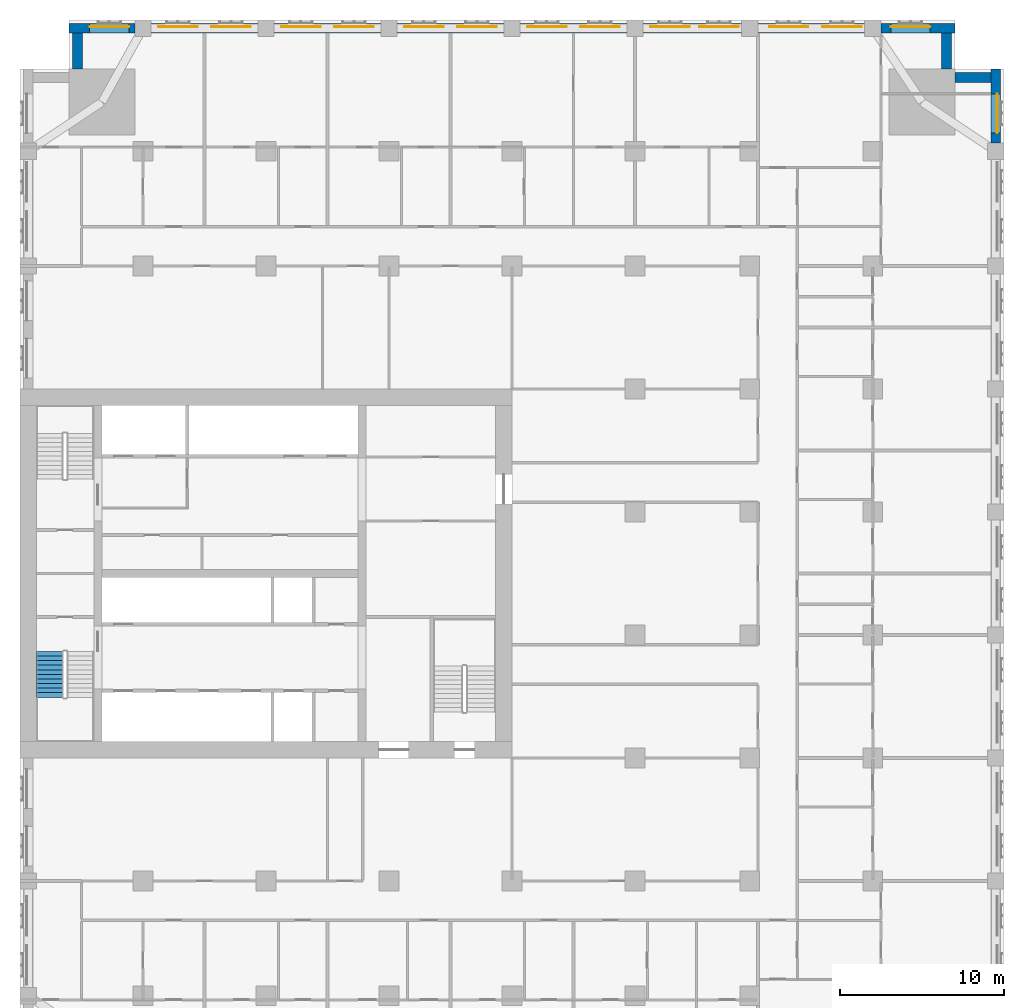
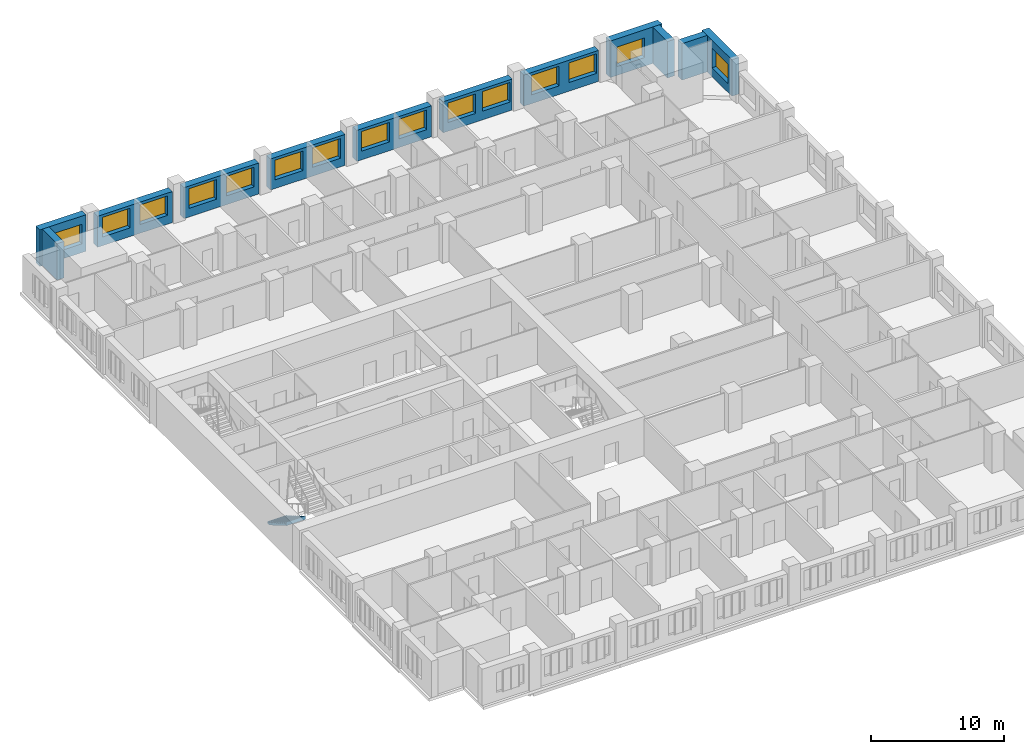
# One storey, part 11 of 14: 15 windows, 12 walls, 1 stair flight, 15 openings, 1 element without a shape of its own.
"""IFC4 building model written with IfcOpenShell, lengths in metres."""

import ifcopenshell
import ifcopenshell.guid

model = None  # the IFC model being written
_history = None  # IfcOwnerHistory: only IFC2X3 demands one
_inside = {}  # id of a spatial element -> (the spatial element, [elements in it])
_under = {}  # id of a project, library or spatial element -> (it, [spatial elements below it])
_declared = {}  # id of a project -> (the project, [libraries it declares])
_typed = {}  # id of a type object -> (the type object, [elements of that type])
_made_of = {}  # id of a material, layer set ... -> (it, [elements and type objects made of it])


def new_model(schema):
    """Start an empty IFC model of exactly this schema.

    Asked for "IFC4X3", IfcOpenShell would pick the latest addendum, in which some entities
    have other attributes; the version numbers below select the first issue.
    IFC2X3 requires an IfcOwnerHistory on every rooted entity: one is made here for all.
    """
    global model, _history
    if schema == "IFC4X3":
        model = ifcopenshell.file(schema_version=(4, 3, 0, 0))
    else:
        model = ifcopenshell.file(schema=schema)
    _inside.clear()
    _under.clear()
    _declared.clear()
    _typed.clear()
    _made_of.clear()
    _history = None
    if model.schema == "IFC2X3":
        org = make("IfcOrganization", Name="unknown")
        user = make(
            "IfcPersonAndOrganization",
            ThePerson=make("IfcPerson", FamilyName="unknown"),
            TheOrganization=org,
        )
        app = make(
            "IfcApplication",
            ApplicationDeveloper=org,
            Version="unknown",
            ApplicationFullName="unknown",
            ApplicationIdentifier="unknown",
        )
        _history = make(
            "IfcOwnerHistory",
            OwningUser=user,
            OwningApplication=app,
            ChangeAction="ADDED",
            CreationDate=0,
        )
    return model


def make(cls, **values):
    """One entity of the class cls with the attributes given. An attribute that is None is left unset."""
    return model.create_entity(
        cls, **{name: value for name, value in values.items() if value is not None}
    )


def rooted(cls, **values):
    """An entity with a GlobalId (a new one), such as an element, a storey or a relation."""
    return make(cls, GlobalId=ifcopenshell.guid.new(), OwnerHistory=_history, **values)


def si_unit(unit_type, name, prefix=None):
    """IfcSIUnit, for example si_unit("LENGTHUNIT", "METRE", prefix="MILLI")."""
    return make("IfcSIUnit", UnitType=unit_type, Prefix=prefix, Name=name)


def assignment(units):
    """IfcUnitAssignment: the units of a project."""
    return None if units is None else make("IfcUnitAssignment", Units=units)


def point(xyz):
    """IfcCartesianPoint."""
    return None if xyz is None else make("IfcCartesianPoint", Coordinates=xyz)


def direction(xyz):
    """IfcDirection."""
    return None if xyz is None else make("IfcDirection", DirectionRatios=xyz)


def frame(location, z_axis=None, x_axis=None):
    """IfcAxis2Placement3D, a coordinate frame: its origin and axes. An axis left out is left unset."""
    return make(
        "IfcAxis2Placement3D",
        Location=point(location),
        Axis=direction(z_axis),
        RefDirection=direction(x_axis),
    )


def frame_2d(location, x_axis=None):
    """IfcAxis2Placement2D, a coordinate frame in the plane: its origin and x axis."""
    return make(
        "IfcAxis2Placement2D", Location=point(location), RefDirection=direction(x_axis)
    )


def origin():
    """The frame at (0, 0, 0) with its axes left unset."""
    return frame((0.0, 0.0, 0.0))


def place(relative_to, where):
    """IfcLocalPlacement: puts the frame where relative to a parent placement (None: the world)."""
    return make(
        "IfcLocalPlacement", PlacementRelTo=relative_to, RelativePlacement=where
    )


def context(
    kind, dimensions, precision=None, world=None, true_north=None, identifier=None
):
    """IfcGeometricRepresentationContext, for example the 3D "Model" context."""
    return make(
        "IfcGeometricRepresentationContext",
        ContextIdentifier=identifier,
        ContextType=kind,
        CoordinateSpaceDimension=dimensions,
        Precision=precision,
        WorldCoordinateSystem=world,
        TrueNorth=true_north,
    )


def subcontext(parent, identifier, kind, view, scale=None):
    """IfcGeometricRepresentationSubContext, for example "Body" below "Model"."""
    return make(
        "IfcGeometricRepresentationSubContext",
        ContextIdentifier=identifier,
        ContextType=kind,
        ParentContext=parent,
        TargetScale=scale,
        TargetView=view,
    )


def project(units=None, contexts=None):
    """IfcProject with its units and contexts."""
    return rooted(
        "IfcProject",
        Name="project",
        RepresentationContexts=contexts,
        UnitsInContext=assignment(units),
    )


def spatial(cls, under=None, at=None, **own):
    """A site, building, storey or space (cls), placed at a placement, below another one or the project."""
    s = rooted(cls, ObjectPlacement=at, **own)
    if under is not None:
        _under.setdefault(under.id(), (under, []))[1].append(s)
    return s


def polyline(points):
    """IfcPolyline through the points."""
    return make("IfcPolyline", Points=[point(p) for p in points])


def profile(cls, at=None, kind="AREA", **sizes):
    """A parametric profile (cls). Its sizes go by their IFC names, for example OverallWidth=200.0."""
    return make(cls, ProfileType=kind, Position=at, **sizes)


def rectangle(**sizes):
    """IfcRectangleProfileDef."""
    return profile("IfcRectangleProfileDef", **sizes)


def outline(outer, holes=None, kind="AREA"):
    """IfcArbitraryClosedProfileDef: a profile drawn as a closed curve; with holes, ...WithVoids."""
    if holes is None:
        return make("IfcArbitraryClosedProfileDef", ProfileType=kind, OuterCurve=outer)
    return make(
        "IfcArbitraryProfileDefWithVoids",
        ProfileType=kind,
        OuterCurve=outer,
        InnerCurves=holes,
    )


def extrude(swept, where, along, depth):
    """IfcExtrudedAreaSolid: the profile swept, set in the frame where, extruded along a direction by depth."""
    return make(
        "IfcExtrudedAreaSolid",
        SweptArea=swept,
        Position=where,
        ExtrudedDirection=direction(along),
        Depth=depth,
    )


def shape(context_of_items, identifier, shape_type, items):
    """IfcShapeRepresentation: the items that make up one representation, for example the "Body"."""
    return make(
        "IfcShapeRepresentation",
        ContextOfItems=context_of_items,
        RepresentationIdentifier=identifier,
        RepresentationType=shape_type,
        Items=items,
    )


def material(Name=None, Category=None):
    """IfcMaterial."""
    return make("IfcMaterial", Name=Name, Category=Category)


def layer(
    of_material, thickness, ventilated=None, Name=None, Category=None, Priority=None
):
    """IfcMaterialLayer: one layer of a wall or slab, of a material (None: an air gap)."""
    return make(
        "IfcMaterialLayer",
        Material=of_material,
        LayerThickness=thickness,
        IsVentilated=ventilated,
        Name=Name,
        Category=Category,
        Priority=Priority,
    )


def layer_set(layers, Name=None):
    """IfcMaterialLayerSet."""
    return make("IfcMaterialLayerSet", MaterialLayers=layers, LayerSetName=Name)


def made_of(thing, what):
    """Note that an element or type object is made of a material, layer set ...; save() writes the relation."""
    if what is not None:
        _made_of.setdefault(what.id(), (what, []))[1].append(thing)
    return thing


def type_object(cls, material=None, **own):
    """A type object (cls), such as IfcWallType, which elements share."""
    return made_of(rooted(cls, **own), material)


def element(
    cls,
    number,
    at=None,
    inside=None,
    cuts=None,
    type_object=None,
    material=None,
    context=None,
    identifier="Body",
    shape_type=None,
    held_by="IfcProductDefinitionShape",
    body=None,
    shapes=None,
    **own,
):
    """One element of the class cls, such as IfcWall. Its Tag is "e" and its number.

    at: its placement. inside: the storey or other place that contains it. cuts: it is an
    opening in that element (IfcRelVoidsElement). A single representation is given by context,
    identifier, shape_type and body (its items); several are given by shapes. held_by: the class
    of the entity that holds the representations. save() writes the other relations.
    """
    e = rooted(cls, Tag="e%d" % number, ObjectPlacement=at, **own)
    if body is not None:
        shapes = [shape(context, identifier, shape_type, body)]
    if shapes is not None:
        e.Representation = make(held_by, Representations=shapes)
    if inside is not None:
        _inside.setdefault(inside.id(), (inside, []))[1].append(e)
    if cuts is not None:
        rooted(
            "IfcRelVoidsElement", RelatingBuildingElement=cuts, RelatedOpeningElement=e
        )
    if type_object is not None:
        _typed.setdefault(type_object.id(), (type_object, []))[1].append(e)
    return made_of(e, material)


def fill(opening, filler):
    """IfcRelFillsElement: the door or window that sits in an opening."""
    return rooted(
        "IfcRelFillsElement",
        RelatingOpeningElement=opening,
        RelatedBuildingElement=filler,
    )


def aggregate(whole, parts):
    """IfcRelAggregates: a whole, such as a stair, and the parts it consists of."""
    return rooted("IfcRelAggregates", RelatingObject=whole, RelatedObjects=parts)


def save(model, path):
    """Write the relations noted so far, then the file.

    IfcRelAggregates (storeys below a building ...), IfcRelContainedInSpatialStructure (elements
    in a storey), IfcRelDefinesByType, IfcRelAssociatesMaterial and IfcRelDeclares: one each for
    every whole, place, type object, material and project.
    """
    for whole, parts in _under.values():
        aggregate(whole, parts)
    for where, things in _inside.values():
        rooted(
            "IfcRelContainedInSpatialStructure",
            RelatedElements=things,
            RelatingStructure=where,
        )
    for kind, things in _typed.values():
        rooted("IfcRelDefinesByType", RelatedObjects=things, RelatingType=kind)
    for what, things in _made_of.values():
        rooted("IfcRelAssociatesMaterial", RelatedObjects=things, RelatingMaterial=what)
    for by, libraries in _declared.values():
        rooted("IfcRelDeclares", RelatingContext=by, RelatedDefinitions=libraries)
    model.write(path)


model = new_model("IFC4")

# Units and contexts
model_context = context("Model", 3, precision=1e-05, world=origin(), true_north=direction((0.0, 1.0)))
body_context = subcontext(model_context, "Body", "Model", "MODEL_VIEW")
ifc_project = project(units=[si_unit("LENGTHUNIT", "METRE"), si_unit("AREAUNIT", "SQUARE_METRE"), si_unit("VOLUMEUNIT", "CUBIC_METRE"), si_unit("PLANEANGLEUNIT", "RADIAN"), si_unit("MASSUNIT", "GRAM", prefix="KILO")], contexts=[model_context])

# Site, building, storey
site_placement = place(None, origin())
site = spatial("IfcSite", under=ifc_project, at=site_placement, CompositionType="ELEMENT")
building_placement = place(site_placement, origin())
building = spatial("IfcBuilding", under=site, at=building_placement, Name="Tamorin Gate", CompositionType="ELEMENT")
storey_placement = place(building_placement, frame((0.0, 0.0, 66.39990234375)))
storey = spatial("IfcBuildingStorey", under=building, at=storey_placement, Name="L15", CompositionType="ELEMENT", Elevation=66.39990234375)

# Wall, opening, window
ifc_material_1 = material(Name="Precast concrete C40/50", Category="concrete")
ifc_layer = layer(ifc_material_1, 0.60009765625)
ifc_layer_set = layer_set([ifc_layer], Name="Precast concrete C40/50")
wall_type = type_object("IfcWallType", Name="Board-marked concrete facade panel 600", PredefinedType="SOLIDWALL", material=ifc_layer_set)
wall_1_placement = place(storey_placement, frame((89.5, 97.5, 0.0), z_axis=(0.0, 0.0, 1.0), x_axis=(0.0, 1.0, 0.0)))
wall_1 = element("IfcWall", 1, at=wall_1_placement, inside=storey, type_object=wall_type, Name="Facade panel", PredefinedType="SOLIDWALL", context=body_context, shape_type="SweptSolid", body=[
    extrude(rectangle(XDim=4.5, YDim=0.60009765625, at=frame_2d((2.25, 0.0))), origin(), (0.0, 0.0, 1.0), 3.35009765625),
])
opening_1_placement = place(wall_1_placement, frame((0.60009765625, 0.0, 0.800048828125)))
opening_1 = element("IfcOpeningElement", 2, at=opening_1_placement, cuts=wall_1, Name="Opening WN1", PredefinedType="OPENING", context=body_context, shape_type="SweptSolid", body=[
    extrude(rectangle(XDim=2.39990234375, YDim=1.800048828125, at=frame_2d((1.199951171875, 0.89990234375))), frame((0.0, 0.31005859375, 0.0), z_axis=(0.0, -1.0, 0.0), x_axis=(1.0, 0.0, 0.0)), (0.0, 0.0, 1.0), 0.6201171875),
])
ifc_material_2 = material(Name="Clear glass in aluminium frame", Category="aluminium")
window_type = type_object("IfcWindowType", Name="Deep-set window 2400x1800", PartitioningType="SINGLE_PANEL", PredefinedType="WINDOW", material=ifc_material_2)
window_1_placement = place(opening_1_placement, origin())
window_1 = element("IfcWindow", 3, at=window_1_placement, inside=storey, type_object=window_type, Name="Deep-set window", OverallHeight=1.800048828125, OverallWidth=2.39990234375, PartitioningType="SINGLE_PANEL", PredefinedType="WINDOW", context=body_context, shape_type="SweptSolid", body=[
    extrude(rectangle(XDim=2.39990234375, YDim=1.800048828125, at=frame_2d((1.199951171875, 0.89990234375))), frame((0.0, -0.070068359375, 0.0), z_axis=(0.0, -1.0, 0.0), x_axis=(1.0, 0.0, 0.0)), (0.0, 0.0, 1.0), 0.06005859375),
])
fill(opening_1, window_1)

# Walls
for number, where, z_axis, x_axis, name in (
    (4, (89.199951171875, 101.5, 0.0), (0.0, 0.0, 1.0), (-1.0, 0.0, 0.0), "Facade panel"),
    (5, (86.5, 102.0, 0.0), (0.0, 0.0, 1.0), (0.0, 1.0, 0.0), "Facade panel"),
):
    element("IfcWall", number, at=place(storey_placement, frame(where, z_axis=z_axis, x_axis=x_axis)), inside=storey, type_object=wall_type, Name=name, PredefinedType="SOLIDWALL", context=body_context, shape_type="SweptSolid", body=[
        extrude(rectangle(XDim=2.199951171875, YDim=0.60009765625, at=frame_2d((1.10009765625, 0.0))), origin(), (0.0, 0.0, 1.0), 3.35009765625),
    ])

# Wall, opening, window
wall_2_placement = place(storey_placement, frame((87.0, 104.5, 0.0), z_axis=(0.0, 0.0, 1.0), x_axis=(-1.0, 0.0, 0.0)))
wall_2 = element("IfcWall", 6, at=wall_2_placement, inside=storey, type_object=wall_type, Name="Facade panel", PredefinedType="SOLIDWALL", context=body_context, shape_type="SweptSolid", body=[
    extrude(rectangle(XDim=4.5, YDim=0.60009765625, at=frame_2d((2.25, 0.0))), origin(), (0.0, 0.0, 1.0), 3.35009765625),
])
opening_2_placement = place(wall_2_placement, frame((1.5, 0.0, 0.800048828125)))
opening_2 = element("IfcOpeningElement", 7, at=opening_2_placement, cuts=wall_2, Name="Opening WN1", PredefinedType="OPENING", context=body_context, shape_type="SweptSolid", body=[
    extrude(rectangle(XDim=2.39990234375, YDim=1.800048828125, at=frame_2d((1.199951171875, 0.89990234375))), frame((0.0, 0.31005859375, 0.0), z_axis=(0.0, -1.0, 0.0), x_axis=(1.0, 0.0, 0.0)), (0.0, 0.0, 1.0), 0.6201171875),
])
window_2_placement = place(opening_2_placement, origin())
window_2 = element("IfcWindow", 8, at=window_2_placement, inside=storey, type_object=window_type, Name="Deep-set window", OverallHeight=1.800048828125, OverallWidth=2.39990234375, PartitioningType="SINGLE_PANEL", PredefinedType="WINDOW", context=body_context, shape_type="SweptSolid", body=[
    extrude(rectangle(XDim=2.39990234375, YDim=1.800048828125, at=frame_2d((1.199951171875, 0.89990234375))), frame((0.0, -0.070068359375, 0.0), z_axis=(0.0, -1.0, 0.0), x_axis=(1.0, 0.0, 0.0)), (0.0, 0.0, 1.0), 0.06005859375),
])
fill(opening_2, window_2)

# Wall, openings, windows
wall_3_placement = place(storey_placement, frame((81.5, 104.5, 0.0), z_axis=(0.0, 0.0, 1.0), x_axis=(-1.0, 0.0, 0.0)))
wall_3 = element("IfcWall", 9, at=wall_3_placement, inside=storey, type_object=wall_type, Name="Facade panel", PredefinedType="SOLIDWALL", context=body_context, shape_type="SweptSolid", body=[
    extrude(rectangle(XDim=6.5, YDim=0.60009765625, at=frame_2d((3.25, 0.0))), origin(), (0.0, 0.0, 1.0), 2.85009765625),
])
opening_3_placement = place(wall_3_placement, frame((3.425048828125, 0.0, 0.800048828125)))
opening_3 = element("IfcOpeningElement", 10, at=opening_3_placement, cuts=wall_3, Name="Opening WN1", PredefinedType="OPENING", context=body_context, shape_type="SweptSolid", body=[
    extrude(rectangle(XDim=2.39990234375, YDim=1.800048828125, at=frame_2d((1.199951171875, 0.89990234375))), frame((0.0, 0.31005859375, 0.0), z_axis=(0.0, -1.0, 0.0), x_axis=(1.0, 0.0, 0.0)), (0.0, 0.0, 1.0), 0.6201171875),
])
opening_4_placement = place(wall_3_placement, frame((0.175048828125, 0.0, 0.800048828125)))
opening_4 = element("IfcOpeningElement", 11, at=opening_4_placement, cuts=wall_3, Name="Opening WN1", PredefinedType="OPENING", context=body_context, shape_type="SweptSolid", body=[
    extrude(rectangle(XDim=2.39990234375, YDim=1.800048828125, at=frame_2d((1.199951171875, 0.89990234375))), frame((0.0, 0.31005859375, 0.0), z_axis=(0.0, -1.0, 0.0), x_axis=(1.0, 0.0, 0.0)), (0.0, 0.0, 1.0), 0.6201171875),
])
window_3_placement = place(opening_3_placement, origin())
window_3 = element("IfcWindow", 12, at=window_3_placement, inside=storey, type_object=window_type, Name="Deep-set window", OverallHeight=1.800048828125, OverallWidth=2.39990234375, PartitioningType="SINGLE_PANEL", PredefinedType="WINDOW", context=body_context, shape_type="SweptSolid", body=[
    extrude(rectangle(XDim=2.39990234375, YDim=1.800048828125, at=frame_2d((1.199951171875, 0.89990234375))), frame((0.0, -0.070068359375, 0.0), z_axis=(0.0, -1.0, 0.0), x_axis=(1.0, 0.0, 0.0)), (0.0, 0.0, 1.0), 0.06005859375),
])
fill(opening_3, window_3)
window_4_placement = place(opening_4_placement, origin())
window_4 = element("IfcWindow", 13, at=window_4_placement, inside=storey, type_object=window_type, Name="Deep-set window", OverallHeight=1.800048828125, OverallWidth=2.39990234375, PartitioningType="SINGLE_PANEL", PredefinedType="WINDOW", context=body_context, shape_type="SweptSolid", body=[
    extrude(rectangle(XDim=2.39990234375, YDim=1.800048828125, at=frame_2d((1.199951171875, 0.89990234375))), frame((0.0, -0.070068359375, 0.0), z_axis=(0.0, -1.0, 0.0), x_axis=(1.0, 0.0, 0.0)), (0.0, 0.0, 1.0), 0.06005859375),
])
fill(opening_4, window_4)

wall_4_placement = place(storey_placement, frame((74.0, 104.5, 0.0), z_axis=(0.0, 0.0, 1.0), x_axis=(-1.0, 0.0, 0.0)))
wall_4 = element("IfcWall", 14, at=wall_4_placement, inside=storey, type_object=wall_type, Name="Facade panel", PredefinedType="SOLIDWALL", context=body_context, shape_type="SweptSolid", body=[
    extrude(rectangle(XDim=6.0, YDim=0.60009765625, at=frame_2d((3.0, 0.0))), origin(), (0.0, 0.0, 1.0), 2.85009765625),
])
opening_5_placement = place(wall_4_placement, frame((3.175048828125, 0.0, 0.800048828125)))
opening_5 = element("IfcOpeningElement", 15, at=opening_5_placement, cuts=wall_4, Name="Opening WN1", PredefinedType="OPENING", context=body_context, shape_type="SweptSolid", body=[
    extrude(rectangle(XDim=2.39990234375, YDim=1.800048828125, at=frame_2d((1.199951171875, 0.89990234375))), frame((0.0, 0.31005859375, 0.0), z_axis=(0.0, -1.0, 0.0), x_axis=(1.0, 0.0, 0.0)), (0.0, 0.0, 1.0), 0.6201171875),
])
opening_6_placement = place(wall_4_placement, frame((0.175048828125, 0.0, 0.800048828125)))
opening_6 = element("IfcOpeningElement", 16, at=opening_6_placement, cuts=wall_4, Name="Opening WN1", PredefinedType="OPENING", context=body_context, shape_type="SweptSolid", body=[
    extrude(rectangle(XDim=2.39990234375, YDim=1.800048828125, at=frame_2d((1.199951171875, 0.89990234375))), frame((0.0, 0.31005859375, 0.0), z_axis=(0.0, -1.0, 0.0), x_axis=(1.0, 0.0, 0.0)), (0.0, 0.0, 1.0), 0.6201171875),
])
window_5_placement = place(opening_5_placement, origin())
window_5 = element("IfcWindow", 17, at=window_5_placement, inside=storey, type_object=window_type, Name="Deep-set window", OverallHeight=1.800048828125, OverallWidth=2.39990234375, PartitioningType="SINGLE_PANEL", PredefinedType="WINDOW", context=body_context, shape_type="SweptSolid", body=[
    extrude(rectangle(XDim=2.39990234375, YDim=1.800048828125, at=frame_2d((1.199951171875, 0.89990234375))), frame((0.0, -0.070068359375, 0.0), z_axis=(0.0, -1.0, 0.0), x_axis=(1.0, 0.0, 0.0)), (0.0, 0.0, 1.0), 0.06005859375),
])
fill(opening_5, window_5)
window_6_placement = place(opening_6_placement, origin())
window_6 = element("IfcWindow", 18, at=window_6_placement, inside=storey, type_object=window_type, Name="Deep-set window", OverallHeight=1.800048828125, OverallWidth=2.39990234375, PartitioningType="SINGLE_PANEL", PredefinedType="WINDOW", context=body_context, shape_type="SweptSolid", body=[
    extrude(rectangle(XDim=2.39990234375, YDim=1.800048828125, at=frame_2d((1.199951171875, 0.89990234375))), frame((0.0, -0.070068359375, 0.0), z_axis=(0.0, -1.0, 0.0), x_axis=(1.0, 0.0, 0.0)), (0.0, 0.0, 1.0), 0.06005859375),
])
fill(opening_6, window_6)

wall_5_placement = place(storey_placement, frame((67.0, 104.5, 0.0), z_axis=(0.0, 0.0, 1.0), x_axis=(-1.0, 0.0, 0.0)))
wall_5 = element("IfcWall", 19, at=wall_5_placement, inside=storey, type_object=wall_type, Name="Facade panel", PredefinedType="SOLIDWALL", context=body_context, shape_type="SweptSolid", body=[
    extrude(rectangle(XDim=6.5, YDim=0.60009765625, at=frame_2d((3.25, 0.0))), origin(), (0.0, 0.0, 1.0), 2.85009765625),
])
opening_7_placement = place(wall_5_placement, frame((3.675048828125, 0.0, 0.800048828125)))
opening_7 = element("IfcOpeningElement", 20, at=opening_7_placement, cuts=wall_5, Name="Opening WN1", PredefinedType="OPENING", context=body_context, shape_type="SweptSolid", body=[
    extrude(rectangle(XDim=2.39990234375, YDim=1.800048828125, at=frame_2d((1.199951171875, 0.89990234375))), frame((0.0, 0.31005859375, 0.0), z_axis=(0.0, -1.0, 0.0), x_axis=(1.0, 0.0, 0.0)), (0.0, 0.0, 1.0), 0.6201171875),
])
opening_8_placement = place(wall_5_placement, frame((0.425048828125, 0.0, 0.800048828125)))
opening_8 = element("IfcOpeningElement", 21, at=opening_8_placement, cuts=wall_5, Name="Opening WN1", PredefinedType="OPENING", context=body_context, shape_type="SweptSolid", body=[
    extrude(rectangle(XDim=2.39990234375, YDim=1.800048828125, at=frame_2d((1.199951171875, 0.89990234375))), frame((0.0, 0.31005859375, 0.0), z_axis=(0.0, -1.0, 0.0), x_axis=(1.0, 0.0, 0.0)), (0.0, 0.0, 1.0), 0.6201171875),
])
window_7_placement = place(opening_7_placement, origin())
window_7 = element("IfcWindow", 22, at=window_7_placement, inside=storey, type_object=window_type, Name="Deep-set window", OverallHeight=1.800048828125, OverallWidth=2.39990234375, PartitioningType="SINGLE_PANEL", PredefinedType="WINDOW", context=body_context, shape_type="SweptSolid", body=[
    extrude(rectangle(XDim=2.39990234375, YDim=1.800048828125, at=frame_2d((1.199951171875, 0.89990234375))), frame((0.0, -0.070068359375, 0.0), z_axis=(0.0, -1.0, 0.0), x_axis=(1.0, 0.0, 0.0)), (0.0, 0.0, 1.0), 0.06005859375),
])
fill(opening_7, window_7)
window_8_placement = place(opening_8_placement, origin())
window_8 = element("IfcWindow", 23, at=window_8_placement, inside=storey, type_object=window_type, Name="Deep-set window", OverallHeight=1.800048828125, OverallWidth=2.39990234375, PartitioningType="SINGLE_PANEL", PredefinedType="WINDOW", context=body_context, shape_type="SweptSolid", body=[
    extrude(rectangle(XDim=2.39990234375, YDim=1.800048828125, at=frame_2d((1.199951171875, 0.89990234375))), frame((0.0, -0.070068359375, 0.0), z_axis=(0.0, -1.0, 0.0), x_axis=(1.0, 0.0, 0.0)), (0.0, 0.0, 1.0), 0.06005859375),
])
fill(opening_8, window_8)

wall_6_placement = place(storey_placement, frame((59.5, 104.5, 0.0), z_axis=(0.0, 0.0, 1.0), x_axis=(-1.0, 0.0, 0.0)))
wall_6 = element("IfcWall", 24, at=wall_6_placement, inside=storey, type_object=wall_type, Name="Facade panel", PredefinedType="SOLIDWALL", context=body_context, shape_type="SweptSolid", body=[
    extrude(rectangle(XDim=6.5, YDim=0.60009765625, at=frame_2d((3.25, 0.0))), origin(), (0.0, 0.0, 1.0), 2.85009765625),
])
opening_9_placement = place(wall_6_placement, frame((3.675048828125, 0.0, 0.800048828125)))
opening_9 = element("IfcOpeningElement", 25, at=opening_9_placement, cuts=wall_6, Name="Opening WN1", PredefinedType="OPENING", context=body_context, shape_type="SweptSolid", body=[
    extrude(rectangle(XDim=2.39990234375, YDim=1.800048828125, at=frame_2d((1.199951171875, 0.89990234375))), frame((0.0, 0.31005859375, 0.0), z_axis=(0.0, -1.0, 0.0), x_axis=(1.0, 0.0, 0.0)), (0.0, 0.0, 1.0), 0.6201171875),
])
opening_10_placement = place(wall_6_placement, frame((0.425048828125, 0.0, 0.800048828125)))
opening_10 = element("IfcOpeningElement", 26, at=opening_10_placement, cuts=wall_6, Name="Opening WN1", PredefinedType="OPENING", context=body_context, shape_type="SweptSolid", body=[
    extrude(rectangle(XDim=2.39990234375, YDim=1.800048828125, at=frame_2d((1.199951171875, 0.89990234375))), frame((0.0, 0.31005859375, 0.0), z_axis=(0.0, -1.0, 0.0), x_axis=(1.0, 0.0, 0.0)), (0.0, 0.0, 1.0), 0.6201171875),
])
window_9_placement = place(opening_9_placement, origin())
window_9 = element("IfcWindow", 27, at=window_9_placement, inside=storey, type_object=window_type, Name="Deep-set window", OverallHeight=1.800048828125, OverallWidth=2.39990234375, PartitioningType="SINGLE_PANEL", PredefinedType="WINDOW", context=body_context, shape_type="SweptSolid", body=[
    extrude(rectangle(XDim=2.39990234375, YDim=1.800048828125, at=frame_2d((1.199951171875, 0.89990234375))), frame((0.0, -0.070068359375, 0.0), z_axis=(0.0, -1.0, 0.0), x_axis=(1.0, 0.0, 0.0)), (0.0, 0.0, 1.0), 0.06005859375),
])
fill(opening_9, window_9)
window_10_placement = place(opening_10_placement, origin())
window_10 = element("IfcWindow", 28, at=window_10_placement, inside=storey, type_object=window_type, Name="Deep-set window", OverallHeight=1.800048828125, OverallWidth=2.39990234375, PartitioningType="SINGLE_PANEL", PredefinedType="WINDOW", context=body_context, shape_type="SweptSolid", body=[
    extrude(rectangle(XDim=2.39990234375, YDim=1.800048828125, at=frame_2d((1.199951171875, 0.89990234375))), frame((0.0, -0.070068359375, 0.0), z_axis=(0.0, -1.0, 0.0), x_axis=(1.0, 0.0, 0.0)), (0.0, 0.0, 1.0), 0.06005859375),
])
fill(opening_10, window_10)

wall_7_placement = place(storey_placement, frame((52.0, 104.5, 0.0), z_axis=(0.0, 0.0, 1.0), x_axis=(-1.0, 0.0, 0.0)))
wall_7 = element("IfcWall", 29, at=wall_7_placement, inside=storey, type_object=wall_type, Name="Facade panel", PredefinedType="SOLIDWALL", context=body_context, shape_type="SweptSolid", body=[
    extrude(rectangle(XDim=6.5, YDim=0.60009765625, at=frame_2d((3.25, 0.0))), origin(), (0.0, 0.0, 1.0), 2.85009765625),
])
opening_11_placement = place(wall_7_placement, frame((3.675048828125, 0.0, 0.800048828125)))
opening_11 = element("IfcOpeningElement", 30, at=opening_11_placement, cuts=wall_7, Name="Opening WN1", PredefinedType="OPENING", context=body_context, shape_type="SweptSolid", body=[
    extrude(rectangle(XDim=2.39990234375, YDim=1.800048828125, at=frame_2d((1.199951171875, 0.89990234375))), frame((0.0, 0.31005859375, 0.0), z_axis=(0.0, -1.0, 0.0), x_axis=(1.0, 0.0, 0.0)), (0.0, 0.0, 1.0), 0.6201171875),
])
opening_12_placement = place(wall_7_placement, frame((0.425048828125, 0.0, 0.800048828125)))
opening_12 = element("IfcOpeningElement", 31, at=opening_12_placement, cuts=wall_7, Name="Opening WN1", PredefinedType="OPENING", context=body_context, shape_type="SweptSolid", body=[
    extrude(rectangle(XDim=2.39990234375, YDim=1.800048828125, at=frame_2d((1.199951171875, 0.89990234375))), frame((0.0, 0.31005859375, 0.0), z_axis=(0.0, -1.0, 0.0), x_axis=(1.0, 0.0, 0.0)), (0.0, 0.0, 1.0), 0.6201171875),
])
window_11_placement = place(opening_11_placement, origin())
window_11 = element("IfcWindow", 32, at=window_11_placement, inside=storey, type_object=window_type, Name="Deep-set window", OverallHeight=1.800048828125, OverallWidth=2.39990234375, PartitioningType="SINGLE_PANEL", PredefinedType="WINDOW", context=body_context, shape_type="SweptSolid", body=[
    extrude(rectangle(XDim=2.39990234375, YDim=1.800048828125, at=frame_2d((1.199951171875, 0.89990234375))), frame((0.0, -0.070068359375, 0.0), z_axis=(0.0, -1.0, 0.0), x_axis=(1.0, 0.0, 0.0)), (0.0, 0.0, 1.0), 0.06005859375),
])
fill(opening_11, window_11)
window_12_placement = place(opening_12_placement, origin())
window_12 = element("IfcWindow", 33, at=window_12_placement, inside=storey, type_object=window_type, Name="Deep-set window", OverallHeight=1.800048828125, OverallWidth=2.39990234375, PartitioningType="SINGLE_PANEL", PredefinedType="WINDOW", context=body_context, shape_type="SweptSolid", body=[
    extrude(rectangle(XDim=2.39990234375, YDim=1.800048828125, at=frame_2d((1.199951171875, 0.89990234375))), frame((0.0, -0.070068359375, 0.0), z_axis=(0.0, -1.0, 0.0), x_axis=(1.0, 0.0, 0.0)), (0.0, 0.0, 1.0), 0.06005859375),
])
fill(opening_12, window_12)

wall_8_placement = place(storey_placement, frame((44.5, 104.5, 0.0), z_axis=(0.0, 0.0, 1.0), x_axis=(-1.0, 0.0, 0.0)))
wall_8 = element("IfcWall", 34, at=wall_8_placement, inside=storey, type_object=wall_type, Name="Facade panel", PredefinedType="SOLIDWALL", context=body_context, shape_type="SweptSolid", body=[
    extrude(rectangle(XDim=6.5, YDim=0.60009765625, at=frame_2d((3.25, 0.0))), origin(), (0.0, 0.0, 1.0), 2.85009765625),
])
opening_13_placement = place(wall_8_placement, frame((3.675048828125, 0.0, 0.800048828125)))
opening_13 = element("IfcOpeningElement", 35, at=opening_13_placement, cuts=wall_8, Name="Opening WN1", PredefinedType="OPENING", context=body_context, shape_type="SweptSolid", body=[
    extrude(rectangle(XDim=2.39990234375, YDim=1.800048828125, at=frame_2d((1.199951171875, 0.89990234375))), frame((0.0, 0.31005859375, 0.0), z_axis=(0.0, -1.0, 0.0), x_axis=(1.0, 0.0, 0.0)), (0.0, 0.0, 1.0), 0.6201171875),
])
opening_14_placement = place(wall_8_placement, frame((0.425048828125, 0.0, 0.800048828125)))
opening_14 = element("IfcOpeningElement", 36, at=opening_14_placement, cuts=wall_8, Name="Opening WN1", PredefinedType="OPENING", context=body_context, shape_type="SweptSolid", body=[
    extrude(rectangle(XDim=2.39990234375, YDim=1.800048828125, at=frame_2d((1.199951171875, 0.89990234375))), frame((0.0, 0.31005859375, 0.0), z_axis=(0.0, -1.0, 0.0), x_axis=(1.0, 0.0, 0.0)), (0.0, 0.0, 1.0), 0.6201171875),
])
window_13_placement = place(opening_13_placement, origin())
window_13 = element("IfcWindow", 37, at=window_13_placement, inside=storey, type_object=window_type, Name="Deep-set window", OverallHeight=1.800048828125, OverallWidth=2.39990234375, PartitioningType="SINGLE_PANEL", PredefinedType="WINDOW", context=body_context, shape_type="SweptSolid", body=[
    extrude(rectangle(XDim=2.39990234375, YDim=1.800048828125, at=frame_2d((1.199951171875, 0.89990234375))), frame((0.0, -0.070068359375, 0.0), z_axis=(0.0, -1.0, 0.0), x_axis=(1.0, 0.0, 0.0)), (0.0, 0.0, 1.0), 0.06005859375),
])
fill(opening_13, window_13)
window_14_placement = place(opening_14_placement, origin())
window_14 = element("IfcWindow", 38, at=window_14_placement, inside=storey, type_object=window_type, Name="Deep-set window", OverallHeight=1.800048828125, OverallWidth=2.39990234375, PartitioningType="SINGLE_PANEL", PredefinedType="WINDOW", context=body_context, shape_type="SweptSolid", body=[
    extrude(rectangle(XDim=2.39990234375, YDim=1.800048828125, at=frame_2d((1.199951171875, 0.89990234375))), frame((0.0, -0.070068359375, 0.0), z_axis=(0.0, -1.0, 0.0), x_axis=(1.0, 0.0, 0.0)), (0.0, 0.0, 1.0), 0.06005859375),
])
fill(opening_14, window_14)

# Wall, opening, window
wall_9_placement = place(storey_placement, frame((37.0, 104.5, 0.0), z_axis=(0.0, 0.0, 1.0), x_axis=(-1.0, 0.0, 0.0)))
wall_9 = element("IfcWall", 39, at=wall_9_placement, inside=storey, type_object=wall_type, Name="Facade panel", PredefinedType="SOLIDWALL", context=body_context, shape_type="SweptSolid", body=[
    extrude(rectangle(XDim=4.0, YDim=0.60009765625, at=frame_2d((2.0, 0.0))), origin(), (0.0, 0.0, 1.0), 3.35009765625),
])
opening_15_placement = place(wall_9_placement, frame((0.35009765625, 0.0, 0.800048828125)))
opening_15 = element("IfcOpeningElement", 40, at=opening_15_placement, cuts=wall_9, Name="Opening WN1", PredefinedType="OPENING", context=body_context, shape_type="SweptSolid", body=[
    extrude(rectangle(XDim=2.39990234375, YDim=1.800048828125, at=frame_2d((1.199951171875, 0.89990234375))), frame((0.0, 0.31005859375, 0.0), z_axis=(0.0, -1.0, 0.0), x_axis=(1.0, 0.0, 0.0)), (0.0, 0.0, 1.0), 0.6201171875),
])
window_15_placement = place(opening_15_placement, origin())
window_15 = element("IfcWindow", 41, at=window_15_placement, inside=storey, type_object=window_type, Name="Deep-set window", OverallHeight=1.800048828125, OverallWidth=2.39990234375, PartitioningType="SINGLE_PANEL", PredefinedType="WINDOW", context=body_context, shape_type="SweptSolid", body=[
    extrude(rectangle(XDim=2.39990234375, YDim=1.800048828125, at=frame_2d((1.199951171875, 0.89990234375))), frame((0.0, -0.070068359375, 0.0), z_axis=(0.0, -1.0, 0.0), x_axis=(1.0, 0.0, 0.0)), (0.0, 0.0, 1.0), 0.06005859375),
])
fill(opening_15, window_15)

# Wall
wall_10_placement = place(storey_placement, frame((33.5, 104.199951171875, 0.0), z_axis=(0.0, 0.0, 1.0), x_axis=(0.0, -1.0, 0.0)))
element("IfcWall", 42, at=wall_10_placement, inside=storey, type_object=wall_type, Name="Facade panel", PredefinedType="SOLIDWALL", context=body_context, shape_type="SweptSolid", body=[
    extrude(rectangle(XDim=2.199951171875, YDim=0.60009765625, at=frame_2d((1.10009765625, 0.0))), origin(), (0.0, 0.0, 1.0), 3.35009765625),
])

# Stair, stair flight
ifc_material_3 = material(Name="Concrete C40/50", Category="concrete")
stair_type = type_object("IfcStairType", Name="Exit stair", PredefinedType="HALF_TURN_STAIR", material=ifc_material_3)
stair_placement = place(storey_placement, origin())
stair = element("IfcStair", 43, at=stair_placement, inside=storey, type_object=stair_type, Name="L15 stair ST1", PredefinedType="HALF_TURN_STAIR")
stair_flight_type = type_object("IfcStairFlightType", Name="Exit stair flight", PredefinedType="STRAIGHT", material=ifc_material_3)
stair_flight_placement = place(storey_placement, frame((31.824951171875, 66.5, 0.0), z_axis=(0.0, 0.0, 1.0), x_axis=(0.0, -1.0, 0.0)))
stair_flight = element("IfcStairFlight", 44, at=stair_flight_placement, type_object=stair_flight_type, Name="ST1 flight 1", NumberOfRisers=11, NumberOfTreads=10, PredefinedType="STRAIGHT", RiserHeight=0.163636364, TreadLength=0.28, context=body_context, shape_type="SweptSolid", body=[
    extrude(outline(polyline([(-0.00048828125, 0.0), (-0.00048828125, 0.001708984375), (-0.00048828125, 0.003173828125), (-0.00048828125, 0.0048828125), (-0.00048828125, 0.006591796875), (-0.00048828125, 0.008056640625), (-0.00048828125, 0.009765625), (-0.00048828125, 0.01123046875), (-0.00048828125, 0.012939453125), (-0.00048828125, 0.0146484375), (-0.00048828125, 0.01611328125), (-0.00048828125, 0.017822265625), (-0.00048828125, 0.01953125), (-0.00048828125, 0.02099609375), (-0.00048828125, 0.022705078125), (-0.00048828125, 0.0244140625), (-0.00048828125, 0.02587890625), (-0.00048828125, 0.027587890625), (-0.00048828125, 0.029052734375), (-0.00048828125, 0.03076171875), (-0.00048828125, 0.032470703125), (-0.00048828125, 0.033935546875), (-0.00048828125, 0.03564453125), (-0.00048828125, 0.037353515625), (-0.00048828125, 0.038818359375), (-0.00048828125, 0.04052734375), (-0.00048828125, 0.042236328125), (-0.00048828125, 0.043701171875), (-0.00048828125, 0.04541015625), (-0.00048828125, 0.046875), (-0.00048828125, 0.048583984375), (-0.00048828125, 0.05029296875), (-0.00048828125, 0.0517578125), (-0.00048828125, 0.053466796875), (-0.00048828125, 0.05517578125), (-0.00048828125, 0.056640625), (-0.00048828125, 0.058349609375), (-0.00048828125, 0.06005859375), (-0.00048828125, 0.0615234375), (-0.00048828125, 0.063232421875), (-0.00048828125, 0.064697265625), (-0.00048828125, 0.06640625), (-0.00048828125, 0.068115234375), (-0.00048828125, 0.069580078125), (-0.00048828125, 0.0712890625), (-0.00048828125, 0.072998046875), (-0.00048828125, 0.074462890625), (-0.00048828125, 0.076171875), (-0.00048828125, 0.077880859375), (-0.00048828125, 0.079345703125), (-0.00048828125, 0.0810546875), (-0.00048828125, 0.08251953125), (-0.00048828125, 0.084228515625), (-0.00048828125, 0.0859375), (-0.00048828125, 0.08740234375), (-0.00048828125, 0.089111328125), (-0.00048828125, 0.0908203125), (-0.00048828125, 0.09228515625), (-0.00048828125, 0.093994140625), (-0.00048828125, 0.095703125), (-0.00048828125, 0.09716796875), (-0.00048828125, 0.098876953125), (-0.00048828125, 0.100341796875), (-0.00048828125, 0.10205078125), (-0.00048828125, 0.103759765625), (-0.00048828125, 0.105224609375), (-0.00048828125, 0.10693359375), (-0.00048828125, 0.108642578125), (-0.00048828125, 0.110107421875), (-0.00048828125, 0.11181640625), (-0.00048828125, 0.113525390625), (-0.00048828125, 0.114990234375), (-0.00048828125, 0.11669921875), (-0.00048828125, 0.1181640625), (-0.00048828125, 0.119873046875), (-0.00048828125, 0.12158203125), (-0.00048828125, 0.123046875), (-0.00048828125, 0.124755859375), (-0.00048828125, 0.12646484375), (-0.00048828125, 0.1279296875), (-0.00048828125, 0.129638671875), (-0.00048828125, 0.13134765625), (-0.00048828125, 0.1328125), (-0.00048828125, 0.134521484375), (-0.00048828125, 0.135986328125), (-0.00048828125, 0.1376953125), (-0.00048828125, 0.139404296875), (-0.00048828125, 0.140869140625), (-0.00048828125, 0.142578125), (-0.00048828125, 0.144287109375), (-0.00048828125, 0.145751953125), (-0.00048828125, 0.1474609375), (-0.00048828125, 0.149169921875), (-0.00048828125, 0.150634765625), (-0.00048828125, 0.15234375), (-0.00048828125, 0.15380859375), (-0.00048828125, 0.155517578125), (-0.00048828125, 0.1572265625), (-0.00048828125, 0.15869140625), (-0.00048828125, 0.160400390625), (-0.00048828125, 0.162109375), (-0.00048828125, 0.16357421875), (0.280029296875, 0.16357421875), (0.280029296875, 0.327392578125), (0.56005859375, 0.327392578125), (0.56005859375, 0.490966796875), (0.840087890625, 0.490966796875), (0.840087890625, 0.654541015625), (1.1201171875, 0.654541015625), (1.1201171875, 0.818115234375), (1.39990234375, 0.818115234375), (1.39990234375, 0.98193359375), (1.679931640625, 0.98193359375), (1.679931640625, 1.1455078125), (1.9599609375, 1.1455078125), (1.9599609375, 1.30908203125), (2.239990234375, 1.30908203125), (2.239990234375, 1.47265625), (2.52001953125, 1.47265625), (2.52001953125, 1.636474609375), (2.800048828125, 1.636474609375), (2.800048828125, 1.800048828125), (2.800537109375, 1.800048828125), (2.800537109375, 1.796630859375), (2.800537109375, 1.793212890625), (2.800537109375, 1.7900390625), (2.800537109375, 1.78662109375), (2.800537109375, 1.783203125), (2.800537109375, 1.780029296875), (2.800537109375, 1.776611328125), (2.800537109375, 1.773193359375), (2.800537109375, 1.77001953125), (2.800537109375, 1.7666015625), (2.800537109375, 1.76318359375), (2.800537109375, 1.760009765625), (2.800537109375, 1.756591796875), (2.800537109375, 1.753173828125), (2.800537109375, 1.75), (2.800537109375, 1.74658203125), (2.800537109375, 1.7431640625), (2.800537109375, 1.739990234375), (2.800537109375, 1.736572265625), (2.800537109375, 1.733154296875), (2.800537109375, 1.72998046875), (2.800537109375, 1.7265625), (2.800537109375, 1.72314453125), (2.800537109375, 1.719970703125), (2.800537109375, 1.716552734375), (2.800537109375, 1.713134765625), (2.800537109375, 1.7099609375), (2.800537109375, 1.70654296875), (2.800537109375, 1.703125), (2.800537109375, 1.69970703125), (2.800537109375, 1.696533203125), (2.800537109375, 1.693115234375), (2.800537109375, 1.689697265625), (2.800537109375, 1.6865234375), (2.800537109375, 1.68310546875), (2.800537109375, 1.6796875), (2.800537109375, 1.676513671875), (2.800537109375, 1.673095703125), (2.800537109375, 1.669677734375), (2.800537109375, 1.66650390625), (2.800537109375, 1.6630859375), (2.800537109375, 1.65966796875), (2.800537109375, 1.656494140625), (2.800537109375, 1.653076171875), (2.800537109375, 1.649658203125), (2.800537109375, 1.646484375), (2.800537109375, 1.64306640625), (2.800537109375, 1.6396484375), (2.800537109375, 1.636474609375), (2.800537109375, 1.633056640625), (2.800537109375, 1.629638671875), (2.800537109375, 1.62646484375), (2.800537109375, 1.623046875), (2.800537109375, 1.61962890625), (2.800537109375, 1.616455078125), (2.800537109375, 1.613037109375), (2.800537109375, 1.609619140625), (2.800537109375, 1.6064453125), (2.800537109375, 1.60302734375), (2.800537109375, 1.599609375), (2.800537109375, 1.59619140625), (2.800537109375, 1.593017578125), (2.800537109375, 1.589599609375), (2.800537109375, 1.586181640625), (2.800537109375, 1.5830078125), (2.800537109375, 1.57958984375), (2.800537109375, 1.576171875), (2.800537109375, 1.572998046875), (2.800537109375, 1.569580078125), (2.800537109375, 1.566162109375), (2.800537109375, 1.56298828125), (2.800537109375, 1.5595703125), (2.800537109375, 1.55615234375), (2.800537109375, 1.552978515625), (2.800537109375, 1.549560546875), (2.800537109375, 1.546142578125), (2.800537109375, 1.54296875), (2.800537109375, 1.53955078125), (2.800537109375, 1.5361328125), (2.800537109375, 1.532958984375), (2.800537109375, 1.529541015625), (2.800537109375, 1.526123046875), (2.800537109375, 1.52294921875), (2.800537109375, 1.51953125), (2.800537109375, 1.51611328125), (2.800537109375, 1.512939453125), (2.800537109375, 1.509521484375), (2.800537109375, 1.506103515625), (2.800537109375, 1.5029296875), (2.800537109375, 1.49951171875), (2.800537109375, 1.49609375), (2.800537109375, 1.49267578125), (2.800537109375, 1.489501953125), (2.800537109375, 1.486083984375), (2.800537109375, 1.482666015625), (2.800537109375, 1.4794921875), (2.800537109375, 1.47607421875), (2.800537109375, 1.47265625), (2.800537109375, 1.469482421875), (2.800537109375, 1.466064453125), (2.800537109375, 1.462646484375), (2.800048828125, 1.462646484375), (0.297119140625, 0.0), (-0.00048828125, 0.0)])), frame((0.0, 0.824951171875, 0.0), z_axis=(0.0, -1.0, 0.0), x_axis=(1.0, 0.0, 0.0)), (0.0, 0.0, 1.0), 1.64990234375),
])
aggregate(stair, [stair_flight])

save(model, "model.ifc")
